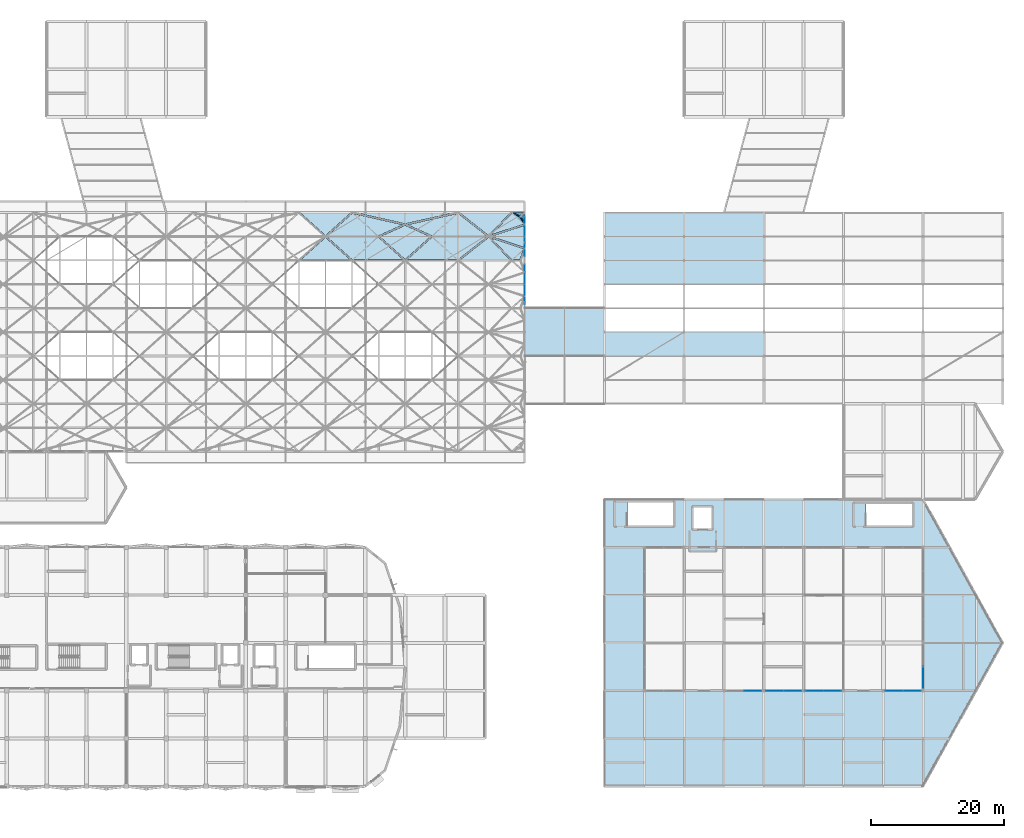
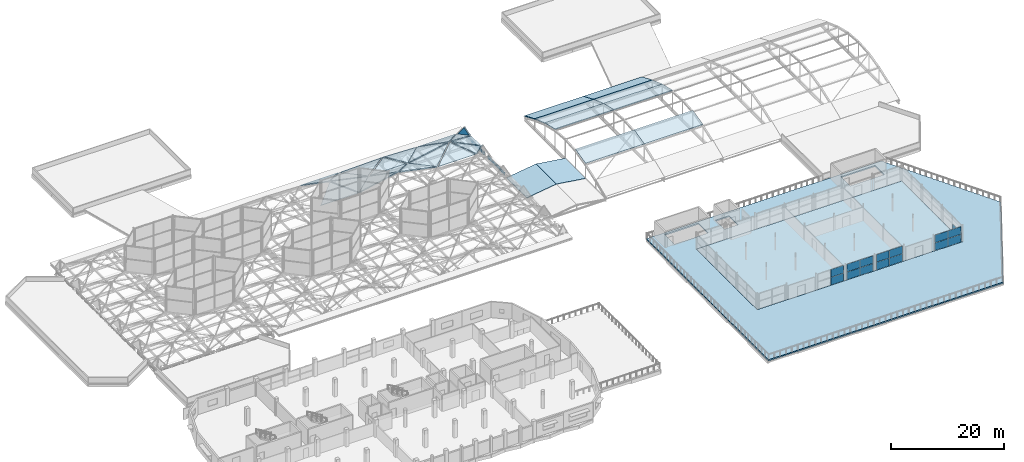
# One storey, part 216 of 239: 34 slabs, 23 plates, 7 elements without a shape of their own.
"""IFC4 building model written with IfcOpenShell, lengths in metres."""

from ifc_helpers import new_model, si_unit, direction, frame, origin, origin_2d, place, context, subcontext, project, spatial, polyline, rectangle, outline, extrude, material, layer, layer_set, type_object, element, aggregate, save


model = new_model("IFC4")

# Units and contexts
model_context = context("Model", 3, precision=1e-05, world=origin(), true_north=direction((0.0, 1.0)))
body_context = subcontext(model_context, "Body", "Model", "MODEL_VIEW")
ifc_project = project(units=[si_unit("LENGTHUNIT", "METRE"), si_unit("AREAUNIT", "SQUARE_METRE"), si_unit("VOLUMEUNIT", "CUBIC_METRE"), si_unit("PLANEANGLEUNIT", "RADIAN"), si_unit("MASSUNIT", "GRAM", prefix="KILO")], contexts=[model_context])

# Site, building, storey
site_placement = place(None, origin())
site = spatial("IfcSite", under=ifc_project, at=site_placement, CompositionType="ELEMENT")
building_placement = place(site_placement, origin())
building = spatial("IfcBuilding", under=site, at=building_placement, Name="Dunvalen Ferry Terminal", CompositionType="ELEMENT")
storey_placement = place(building_placement, frame((0.0, 0.0, 9.840087890625)))
storey = spatial("IfcBuildingStorey", under=building, at=storey_placement, Name="L02", CompositionType="ELEMENT", Elevation=9.840087890625)

# Curtain wall, plates
ifc_material_1 = material(Name="Anodised marine aluminium and solar-control glazing", Category="aluminium")
ifc_layer_1 = layer(ifc_material_1, 0.219970703125, Name="Anodised marine aluminium and solar-control glazing")
ifc_layer_set_1 = layer_set([ifc_layer_1], Name="Anodised marine aluminium and solar-control glazing")
curtain_wall_type_1 = type_object("IfcCurtainWallType", Name="ENV-CW-SYS-04", PredefinedType="NOTDEFINED", material=ifc_layer_set_1)
curtain_wall_1_placement = place(storey_placement, origin())
curtain_wall_1 = element("IfcCurtainWall", 1, at=curtain_wall_1_placement, inside=storey, type_object=curtain_wall_type_1, Name="L02 Curtain Wall CW-V1E-CLR-04", PredefinedType="NOTDEFINED")
ifc_material_2 = material(Name="Low-E solar-control laminated double glazing", Category="glass")
ifc_layer_2 = layer(ifc_material_2, 0.031982421875, Name="Low-E solar-control laminated double glazing")
ifc_layer_set_2 = layer_set([ifc_layer_2], Name="Low-E solar-control laminated double glazing")
plate_type_1 = type_object("IfcPlateType", Name="ENV-CW-PNL-2", PredefinedType="CURTAIN_PANEL", material=ifc_layer_set_2)
plate_1_placement = place(storey_placement, frame((96.0, 74.094970703125, 0.070068359375), z_axis=(0.0, 0.0, 1.0), x_axis=(0.0, 1.0, 0.0)))
plate_1 = element("IfcPlate", 2, at=plate_1_placement, type_object=plate_type_1, Name="CW-04 panel 1.1", PredefinedType="CURTAIN_PANEL", context=body_context, shape_type="SweptSolid", body=[
    extrude(rectangle(XDim=2.949951171875, YDim=0.031982421875, at=origin_2d()), origin(), (0.0, 0.0, 1.0), 0.294921875),
])
plate_2_placement = place(storey_placement, frame((96.0, 74.094970703125, 0.425048828125), z_axis=(0.0, 0.0, 1.0), x_axis=(0.0, 1.0, 0.0)))
plate_2 = element("IfcPlate", 3, at=plate_2_placement, type_object=plate_type_1, Name="CW-04 panel 1.2", PredefinedType="CURTAIN_PANEL", context=body_context, shape_type="SweptSolid", body=[
    extrude(rectangle(XDim=2.949951171875, YDim=0.031982421875, at=origin_2d()), origin(), (0.0, 0.0, 1.0), 0.294921875),
])
plate_3_placement = place(storey_placement, frame((96.0, 77.10498046875, 0.070068359375), z_axis=(0.0, 0.0, 1.0), x_axis=(0.0, 1.0, 0.0)))
plate_3 = element("IfcPlate", 4, at=plate_3_placement, type_object=plate_type_1, Name="CW-04 panel 2.1", PredefinedType="CURTAIN_PANEL", context=body_context, shape_type="SweptSolid", body=[
    extrude(rectangle(XDim=2.949951171875, YDim=0.031982421875, at=origin_2d()), origin(), (0.0, 0.0, 1.0), 0.294921875),
])
plate_4_placement = place(storey_placement, frame((96.0, 77.10498046875, 0.425048828125), z_axis=(0.0, 0.0, 1.0), x_axis=(0.0, 1.0, 0.0)))
plate_4 = element("IfcPlate", 5, at=plate_4_placement, type_object=plate_type_1, Name="CW-04 panel 2.2", PredefinedType="CURTAIN_PANEL", context=body_context, shape_type="SweptSolid", body=[
    extrude(rectangle(XDim=2.949951171875, YDim=0.031982421875, at=origin_2d()), origin(), (0.0, 0.0, 1.0), 0.294921875),
])
aggregate(curtain_wall_1, [plate_1, plate_2, plate_3, plate_4])

curtain_wall_2_placement = place(storey_placement, origin())
curtain_wall_2 = element("IfcCurtainWall", 6, at=curtain_wall_2_placement, inside=storey, type_object=curtain_wall_type_1, Name="L02 Curtain Wall CW-V1E-CLR-05", PredefinedType="NOTDEFINED")
plate_5_placement = place(storey_placement, frame((96.0, 81.294921875, 0.070068359375), z_axis=(0.0, 0.0, 1.0), x_axis=(0.0, 1.0, 0.0)))
plate_5 = element("IfcPlate", 7, at=plate_5_placement, type_object=plate_type_1, Name="CW-04 panel 1.1", PredefinedType="CURTAIN_PANEL", context=body_context, shape_type="SweptSolid", body=[
    extrude(rectangle(XDim=2.949951171875, YDim=0.031982421875, at=origin_2d()), origin(), (0.0, 0.0, 1.0), 0.294921875),
])
plate_6_placement = place(storey_placement, frame((96.0, 81.294921875, 0.425048828125), z_axis=(0.0, 0.0, 1.0), x_axis=(0.0, 1.0, 0.0)))
plate_6 = element("IfcPlate", 8, at=plate_6_placement, type_object=plate_type_1, Name="CW-04 panel 1.2", PredefinedType="CURTAIN_PANEL", context=body_context, shape_type="SweptSolid", body=[
    extrude(rectangle(XDim=2.949951171875, YDim=0.031982421875, at=origin_2d()), origin(), (0.0, 0.0, 1.0), 0.294921875),
])
plate_7_placement = place(storey_placement, frame((96.0, 84.304931640625, 0.070068359375), z_axis=(0.0, 0.0, 1.0), x_axis=(0.0, 1.0, 0.0)))
plate_7 = element("IfcPlate", 9, at=plate_7_placement, type_object=plate_type_1, Name="CW-04 panel 2.1", PredefinedType="CURTAIN_PANEL", context=body_context, shape_type="SweptSolid", body=[
    extrude(rectangle(XDim=2.949951171875, YDim=0.031982421875, at=origin_2d()), origin(), (0.0, 0.0, 1.0), 0.294921875),
])
plate_8_placement = place(storey_placement, frame((96.0, 84.304931640625, 0.425048828125), z_axis=(0.0, 0.0, 1.0), x_axis=(0.0, 1.0, 0.0)))
plate_8 = element("IfcPlate", 10, at=plate_8_placement, type_object=plate_type_1, Name="CW-04 panel 2.2", PredefinedType="CURTAIN_PANEL", context=body_context, shape_type="SweptSolid", body=[
    extrude(rectangle(XDim=2.949951171875, YDim=0.031982421875, at=origin_2d()), origin(), (0.0, 0.0, 1.0), 0.294921875),
])
aggregate(curtain_wall_2, [plate_5, plate_6, plate_7, plate_8])

ifc_layer_3 = layer(ifc_material_1, 0.159912109375, Name="Anodised marine aluminium and solar-control glazing")
ifc_layer_set_3 = layer_set([ifc_layer_3], Name="Anodised marine aluminium and solar-control glazing")
curtain_wall_type_2 = type_object("IfcCurtainWallType", Name="ENV-CW-SYS-09", PredefinedType="NOTDEFINED", material=ifc_layer_set_3)
curtain_wall_3_placement = place(storey_placement, origin())
curtain_wall_3 = element("IfcCurtainWall", 11, at=curtain_wall_3_placement, inside=storey, type_object=curtain_wall_type_2, Name="L02 Curtain Wall CW-PAV-S-3", PredefinedType="NOTDEFINED")
ifc_layer_4 = layer(ifc_material_2, 0.048095703125, Name="Low-E solar-control laminated double glazing")
ifc_layer_set_4 = layer_set([ifc_layer_4], Name="Low-E solar-control laminated double glazing")
plate_type_2 = type_object("IfcPlateType", Name="ENV-CW-PNL-6", PredefinedType="CURTAIN_PANEL", material=ifc_layer_set_4)
plate_9_placement = place(storey_placement, frame((130.336181640625, 14.39990234375, 0.054931640625), z_axis=(0.0, 0.0, 1.0), x_axis=(1.0, 0.0, 0.0)))
plate_9 = element("IfcPlate", 12, at=plate_9_placement, type_object=plate_type_2, Name="CW-09 panel 2.1", PredefinedType="CURTAIN_PANEL", context=body_context, shape_type="SweptSolid", body=[
    extrude(rectangle(XDim=2.617431640625, YDim=0.048095703125, at=origin_2d()), origin(), (0.0, 0.0, 1.0), 1.6474609375),
])
plate_10_placement = place(storey_placement, frame((130.336181640625, 14.39990234375, 1.75732421875), z_axis=(0.0, 0.0, 1.0), x_axis=(1.0, 0.0, 0.0)))
plate_10 = element("IfcPlate", 13, at=plate_10_placement, type_object=plate_type_2, Name="CW-09 panel 2.2", PredefinedType="CURTAIN_PANEL", context=body_context, shape_type="SweptSolid", body=[
    extrude(rectangle(XDim=2.617431640625, YDim=0.048095703125, at=origin_2d()), origin(), (0.0, 0.0, 1.0), 1.6474609375),
])
aggregate(curtain_wall_3, [plate_9, plate_10])

curtain_wall_4_placement = place(storey_placement, origin())
curtain_wall_4 = element("IfcCurtainWall", 14, at=curtain_wall_4_placement, inside=storey, type_object=curtain_wall_type_2, Name="L02 Curtain Wall CW-PAV-S-4", PredefinedType="NOTDEFINED")
plate_11_placement = place(storey_placement, frame((133.663818359375, 14.39990234375, 0.054931640625), z_axis=(0.0, 0.0, 1.0), x_axis=(1.0, 0.0, 0.0)))
plate_11 = element("IfcPlate", 15, at=plate_11_placement, type_object=plate_type_2, Name="CW-09 panel 1.1", PredefinedType="CURTAIN_PANEL", context=body_context, shape_type="SweptSolid", body=[
    extrude(rectangle(XDim=2.617431640625, YDim=0.048095703125, at=origin_2d()), origin(), (0.0, 0.0, 1.0), 1.6474609375),
])
plate_12_placement = place(storey_placement, frame((133.663818359375, 14.39990234375, 1.75732421875), z_axis=(0.0, 0.0, 1.0), x_axis=(1.0, 0.0, 0.0)))
plate_12 = element("IfcPlate", 16, at=plate_12_placement, type_object=plate_type_2, Name="CW-09 panel 1.2", PredefinedType="CURTAIN_PANEL", context=body_context, shape_type="SweptSolid", body=[
    extrude(rectangle(XDim=2.617431640625, YDim=0.048095703125, at=origin_2d()), origin(), (0.0, 0.0, 1.0), 1.6474609375),
])
plate_13_placement = place(storey_placement, frame((136.336181640625, 14.39990234375, 0.054931640625), z_axis=(0.0, 0.0, 1.0), x_axis=(1.0, 0.0, 0.0)))
plate_13 = element("IfcPlate", 17, at=plate_13_placement, type_object=plate_type_2, Name="CW-09 panel 2.1", PredefinedType="CURTAIN_PANEL", context=body_context, shape_type="SweptSolid", body=[
    extrude(rectangle(XDim=2.617431640625, YDim=0.048095703125, at=origin_2d()), origin(), (0.0, 0.0, 1.0), 1.6474609375),
])
plate_14_placement = place(storey_placement, frame((136.336181640625, 14.39990234375, 1.75732421875), z_axis=(0.0, 0.0, 1.0), x_axis=(1.0, 0.0, 0.0)))
plate_14 = element("IfcPlate", 18, at=plate_14_placement, type_object=plate_type_2, Name="CW-09 panel 2.2", PredefinedType="CURTAIN_PANEL", context=body_context, shape_type="SweptSolid", body=[
    extrude(rectangle(XDim=2.617431640625, YDim=0.048095703125, at=origin_2d()), origin(), (0.0, 0.0, 1.0), 1.6474609375),
])
aggregate(curtain_wall_4, [plate_11, plate_12, plate_13, plate_14])

curtain_wall_5_placement = place(storey_placement, origin())
curtain_wall_5 = element("IfcCurtainWall", 19, at=curtain_wall_5_placement, inside=storey, type_object=curtain_wall_type_2, Name="L02 Curtain Wall CW-PAV-S-5", PredefinedType="NOTDEFINED")
plate_15_placement = place(storey_placement, frame((139.663818359375, 14.39990234375, 0.054931640625), z_axis=(0.0, 0.0, 1.0), x_axis=(1.0, 0.0, 0.0)))
plate_15 = element("IfcPlate", 20, at=plate_15_placement, type_object=plate_type_2, Name="CW-09 panel 1.1", PredefinedType="CURTAIN_PANEL", context=body_context, shape_type="SweptSolid", body=[
    extrude(rectangle(XDim=2.617431640625, YDim=0.048095703125, at=origin_2d()), origin(), (0.0, 0.0, 1.0), 1.6474609375),
])
plate_16_placement = place(storey_placement, frame((139.663818359375, 14.39990234375, 1.75732421875), z_axis=(0.0, 0.0, 1.0), x_axis=(1.0, 0.0, 0.0)))
plate_16 = element("IfcPlate", 21, at=plate_16_placement, type_object=plate_type_2, Name="CW-09 panel 1.2", PredefinedType="CURTAIN_PANEL", context=body_context, shape_type="SweptSolid", body=[
    extrude(rectangle(XDim=2.617431640625, YDim=0.048095703125, at=origin_2d()), origin(), (0.0, 0.0, 1.0), 1.6474609375),
])
plate_17_placement = place(storey_placement, frame((142.336181640625, 14.39990234375, 0.054931640625), z_axis=(0.0, 0.0, 1.0), x_axis=(1.0, 0.0, 0.0)))
plate_17 = element("IfcPlate", 22, at=plate_17_placement, type_object=plate_type_2, Name="CW-09 panel 2.1", PredefinedType="CURTAIN_PANEL", context=body_context, shape_type="SweptSolid", body=[
    extrude(rectangle(XDim=2.617431640625, YDim=0.048095703125, at=origin_2d()), origin(), (0.0, 0.0, 1.0), 1.6474609375),
])
plate_18_placement = place(storey_placement, frame((142.336181640625, 14.39990234375, 1.75732421875), z_axis=(0.0, 0.0, 1.0), x_axis=(1.0, 0.0, 0.0)))
plate_18 = element("IfcPlate", 23, at=plate_18_placement, type_object=plate_type_2, Name="CW-09 panel 2.2", PredefinedType="CURTAIN_PANEL", context=body_context, shape_type="SweptSolid", body=[
    extrude(rectangle(XDim=2.617431640625, YDim=0.048095703125, at=origin_2d()), origin(), (0.0, 0.0, 1.0), 1.6474609375),
])
aggregate(curtain_wall_5, [plate_15, plate_16, plate_17, plate_18])

curtain_wall_6_placement = place(storey_placement, origin())
curtain_wall_6 = element("IfcCurtainWall", 24, at=curtain_wall_6_placement, inside=storey, type_object=curtain_wall_type_2, Name="L02 Curtain Wall CW-PAV-S-7", PredefinedType="NOTDEFINED")
plate_19_placement = place(storey_placement, frame((151.663818359375, 14.39990234375, 0.054931640625), z_axis=(0.0, 0.0, 1.0), x_axis=(1.0, 0.0, 0.0)))
plate_19 = element("IfcPlate", 25, at=plate_19_placement, type_object=plate_type_2, Name="CW-09 panel 1.1", PredefinedType="CURTAIN_PANEL", context=body_context, shape_type="SweptSolid", body=[
    extrude(rectangle(XDim=2.617431640625, YDim=0.048095703125, at=origin_2d()), origin(), (0.0, 0.0, 1.0), 1.6474609375),
])
plate_20_placement = place(storey_placement, frame((151.663818359375, 14.39990234375, 1.75732421875), z_axis=(0.0, 0.0, 1.0), x_axis=(1.0, 0.0, 0.0)))
plate_20 = element("IfcPlate", 26, at=plate_20_placement, type_object=plate_type_2, Name="CW-09 panel 1.2", PredefinedType="CURTAIN_PANEL", context=body_context, shape_type="SweptSolid", body=[
    extrude(rectangle(XDim=2.617431640625, YDim=0.048095703125, at=origin_2d()), origin(), (0.0, 0.0, 1.0), 1.6474609375),
])
plate_21_placement = place(storey_placement, frame((154.336181640625, 14.39990234375, 0.054931640625), z_axis=(0.0, 0.0, 1.0), x_axis=(1.0, 0.0, 0.0)))
plate_21 = element("IfcPlate", 27, at=plate_21_placement, type_object=plate_type_2, Name="CW-09 panel 2.1", PredefinedType="CURTAIN_PANEL", context=body_context, shape_type="SweptSolid", body=[
    extrude(rectangle(XDim=2.617431640625, YDim=0.048095703125, at=origin_2d()), origin(), (0.0, 0.0, 1.0), 1.6474609375),
])
plate_22_placement = place(storey_placement, frame((154.336181640625, 14.39990234375, 1.75732421875), z_axis=(0.0, 0.0, 1.0), x_axis=(1.0, 0.0, 0.0)))
plate_22 = element("IfcPlate", 28, at=plate_22_placement, type_object=plate_type_2, Name="CW-09 panel 2.2", PredefinedType="CURTAIN_PANEL", context=body_context, shape_type="SweptSolid", body=[
    extrude(rectangle(XDim=2.617431640625, YDim=0.048095703125, at=origin_2d()), origin(), (0.0, 0.0, 1.0), 1.6474609375),
])
aggregate(curtain_wall_6, [plate_19, plate_20, plate_21, plate_22])

# Curtain wall, plate
ifc_layer_5 = layer(ifc_material_1, 0.159912109375, Name="Anodised marine aluminium and solar-control glazing")
ifc_layer_set_5 = layer_set([ifc_layer_5], Name="Anodised marine aluminium and solar-control glazing")
curtain_wall_type_3 = type_object("IfcCurtainWallType", Name="ENV-CW-SYS-10", PredefinedType="NOTDEFINED", material=ifc_layer_set_5)
curtain_wall_7_placement = place(storey_placement, origin())
curtain_wall_7 = element("IfcCurtainWall", 29, at=curtain_wall_7_placement, inside=storey, type_object=curtain_wall_type_3, Name="L02 Curtain Wall CW-PAV-E-1", PredefinedType="NOTDEFINED")
plate_23_placement = place(storey_placement, frame((156.0, 16.36376953125, 0.054931640625), z_axis=(0.0, 0.0, 1.0), x_axis=(0.0, 1.0, 0.0)))
plate_23 = element("IfcPlate", 30, at=plate_23_placement, type_object=plate_type_2, Name="CW-10 panel 1.1", PredefinedType="CURTAIN_PANEL", context=body_context, shape_type="SweptSolid", body=[
    extrude(rectangle(XDim=3.217529296875, YDim=0.048095703125, at=origin_2d()), origin(), (0.0, 0.0, 1.0), 1.6474609375),
])
aggregate(curtain_wall_7, [plate_23])

# Slabs
ifc_material_3 = material(Name="Precast concrete C40/50 - Deep Navy Marine Enamel", Category="concrete")
ifc_layer_6 = layer(ifc_material_3, 0.2099609375, Name="Precast concrete C40/50 - Deep Navy Marine Enamel")
ifc_layer_set_6 = layer_set([ifc_layer_6], Name="Precast concrete C40/50 - Deep Navy Marine Enamel")
slab_type_1 = type_object("IfcSlabType", Name="STR-ROOF-HEX-NAVY", PredefinedType="ROOF", material=ifc_layer_set_6)
slab_1_placement = place(storey_placement, frame((62.157958984375, 79.199951171875, 1.427001953125), z_axis=(0.0, -0.422780353904, 0.906232184571), x_axis=(1.0, 0.0, 0.0)))
element("IfcSlab", 31, at=slab_1_placement, inside=storey, type_object=slab_type_1, Name="HEX-33 Sea-Roof Pyramid Facet 2", PredefinedType="ROOF", context=body_context, shape_type="SweptSolid", body=[
    extrude(outline(polyline([(0.0, 0.0), (7.68408203125, 0.0), (3.842041015625, 3.814730163920641), (0.0, 0.0)])), origin(), (0.0, 0.0, -1.0), 0.2099609375),
])
slab_2_placement = place(storey_placement, frame((70.0791015625, 79.27099609375, 1.427001953125), z_axis=(0.200317741298, -0.222548281592, 0.954120047416), x_axis=(0.743253811371, 0.669009545434, 0.0)))
element("IfcSlab", 32, at=slab_2_placement, inside=storey, type_object=slab_type_1, Name="HEX-33 Sea-Roof Pyramid Facet 3", PredefinedType="ROOF", context=body_context, shape_type="SweptSolid", body=[
    extrude(outline(polyline([(0.0, 0.0), (5.116661976626771, -4.440892098500626e-16), (-0.5366760344240071, 5.333313352192469), (0.0, 0.0)])), origin(), (0.0, 0.0, -1.0), 0.2099609375),
])
slab_3_placement = place(storey_placement, frame((73.882080078125, 82.906005859375, 1.427001953125), z_axis=(0.200317741298, 0.222548281592, 0.954120047416), x_axis=(-0.743253811371, 0.669009545434, 0.0)))
element("IfcSlab", 33, at=slab_3_placement, inside=storey, type_object=slab_type_1, Name="HEX-33 Sea-Roof Pyramid Facet 4", PredefinedType="ROOF", context=body_context, shape_type="SweptSolid", body=[
    extrude(outline(polyline([(0.0, 0.0), (5.116661976626771, 4.440892098500626e-16), (5.653338011050778, 5.33331335219247), (0.0, 0.0)])), origin(), (0.0, 0.0, -1.0), 0.2099609375),
])
slab_4_placement = place(storey_placement, frame((69.842041015625, 86.39990234375, 1.427001953125), z_axis=(0.0, 0.422804875738, 0.906220744108), x_axis=(-1.0, 0.0, 0.0)))
element("IfcSlab", 34, at=slab_4_placement, inside=storey, type_object=slab_type_1, Name="HEX-33 Sea-Roof Pyramid Facet 5", PredefinedType="ROOF", context=body_context, shape_type="SweptSolid", body=[
    extrude(outline(polyline([(0.0, 0.0), (7.68408203125, 0.0), (3.842041015625, 3.814508917225205), (0.0, 0.0)])), origin(), (0.0, 0.0, -1.0), 0.2099609375),
])
slab_5_placement = place(storey_placement, frame((85.882080078125, 79.305908203125, 1.427001953125), z_axis=(0.200317741298, 0.222548281592, 0.954120047416), x_axis=(-0.743253811371, 0.669009545434, 0.0)))
element("IfcSlab", 35, at=slab_5_placement, inside=storey, type_object=slab_type_1, Name="HEX-38 Sea-Roof Pyramid Facet 4", PredefinedType="ROOF", context=body_context, shape_type="SweptSolid", body=[
    extrude(outline(polyline([(0.0, 0.0), (5.116661976626771, 4.440892098500626e-16), (5.653338011050778, 5.33331335219247), (0.0, 0.0)])), origin(), (0.0, 0.0, -1.0), 0.2099609375),
])
slab_6_placement = place(storey_placement, frame((81.842041015625, 82.800048828125, 1.427001953125), z_axis=(0.0, 0.422780353904, 0.906232184571), x_axis=(-1.0, 0.0, 0.0)))
element("IfcSlab", 36, at=slab_6_placement, inside=storey, type_object=slab_type_1, Name="HEX-38 Sea-Roof Pyramid Facet 5", PredefinedType="ROOF", context=body_context, shape_type="SweptSolid", body=[
    extrude(outline(polyline([(0.0, 0.0), (7.68408203125, 0.0), (3.842041015625, 3.814730163920641), (0.0, 0.0)])), origin(), (0.0, 0.0, -1.0), 0.2099609375),
])
slab_7_placement = place(storey_placement, frame((73.9208984375, 82.72900390625, 1.427001953125), z_axis=(-0.200317741298, 0.222548281592, 0.954120047416), x_axis=(-0.743253811371, -0.669009545434, 0.0)))
element("IfcSlab", 37, at=slab_7_placement, inside=storey, type_object=slab_type_1, Name="HEX-38 Sea-Roof Pyramid Facet 6", PredefinedType="ROOF", context=body_context, shape_type="SweptSolid", body=[
    extrude(outline(polyline([(0.0, 0.0), (5.116661976626771, -4.440892098500626e-16), (-0.5366760344240071, 5.333313352192469), (0.0, 0.0)])), origin(), (0.0, 0.0, -1.0), 0.2099609375),
])
slab_8_placement = place(storey_placement, frame((70.160888671875, 86.2548828125, 1.427001953125), z_axis=(-0.258241324368, -0.28692858337, 0.92248761858), x_axis=(0.74328693375, -0.668972745421, 0.0)))
element("IfcSlab", 38, at=slab_8_placement, inside=storey, type_object=slab_type_1, Name="HEX-39 Sea-Roof Pyramid Facet 1", PredefinedType="ROOF", context=body_context, shape_type="SweptSolid", body=[
    extrude(outline(polyline([(0.0, 0.0), (5.049427963424799, 0.0), (6.7090601149819244, 4.082432219674015), (0.0, 0.0)])), origin(), (0.0, 0.0, -1.0), 0.2099609375),
])
slab_9_placement = place(storey_placement, frame((74.258056640625, 82.800048828125, 1.427001953125), z_axis=(0.0, -0.682420198219, 0.730960103605), x_axis=(1.0, 0.0, 0.0)))
element("IfcSlab", 39, at=slab_9_placement, inside=storey, type_object=slab_type_1, Name="HEX-39 Sea-Roof Pyramid Facet 2", PredefinedType="ROOF", context=body_context, shape_type="SweptSolid", body=[
    extrude(outline(polyline([(0.0, 0.0), (7.48388671875, 0.0), (3.741943359375, 2.3035975319575743), (0.0, 0.0)])), origin(), (0.0, 0.0, -1.0), 0.2099609375),
])
slab_10_placement = place(storey_placement, frame((82.0859375, 82.876953125, 1.427001953125), z_axis=(0.258241324368, -0.28692858337, 0.92248761858), x_axis=(0.74328693375, 0.668972745421, 0.0)))
element("IfcSlab", 40, at=slab_10_placement, inside=storey, type_object=slab_type_1, Name="HEX-39 Sea-Roof Pyramid Facet 3", PredefinedType="ROOF", context=body_context, shape_type="SweptSolid", body=[
    extrude(outline(polyline([(0.0, 0.0), (5.049427963424799, 0.0), (-1.659632151557125, 4.082432219674014), (0.0, 0.0)])), origin(), (0.0, 0.0, -1.0), 0.2099609375),
])
slab_11_placement = place(storey_placement, frame((85.51708984375, 86.39990234375, 1.427001953125), z_axis=(0.0, 0.682472396449, 0.730911368146), x_axis=(-1.0, 0.0, 0.0)))
element("IfcSlab", 41, at=slab_11_placement, inside=storey, type_object=slab_type_1, Name="HEX-39 Sea-Roof Pyramid Facet 4", PredefinedType="ROOF", context=body_context, shape_type="SweptSolid", body=[
    extrude(outline(polyline([(0.0, 0.0), (15.0341796875, 0.0), (7.51708984375, 2.313437774320156), (0.0, 0.0)])), origin(), (0.0, 0.0, -1.0), 0.2099609375),
])
ifc_material_4 = material(Name="Precast concrete C40/50 - Pale Sea-Mist Marine Enamel", Category="concrete")
ifc_layer_7 = layer(ifc_material_4, 0.169921875, Name="Precast concrete C40/50 - Pale Sea-Mist Marine Enamel")
ifc_layer_set_7 = layer_set([ifc_layer_7], Name="Precast concrete C40/50 - Pale Sea-Mist Marine Enamel")
slab_type_2 = type_object("IfcSlabType", Name="STR-ROOF-HEX-SEAMIST", PredefinedType="ROOF", material=ifc_layer_set_7)
slab_12_placement = place(storey_placement, frame((82.117919921875, 82.694091796875, 1.386962890625), z_axis=(-0.188106426033, -0.208987755769, 0.959656235547), x_axis=(0.743263293857, -0.668999010466, 0.0)))
element("IfcSlab", 42, at=slab_12_placement, inside=storey, type_object=slab_type_2, Name="HEX-44 Sea-Roof Pyramid Facet 1", PredefinedType="ROOF", context=body_context, shape_type="SweptSolid", body=[
    extrude(outline(polyline([(0.0, 0.0), (5.115282813706228, 4.440892098500626e-16), (6.0553457314466606, 5.67944691384375), (0.0, 0.0)])), origin(), (0.0, 0.0, -1.0), 0.169921875),
])
slab_13_placement = place(storey_placement, frame((86.1708984375, 79.199951171875, 1.386962890625), z_axis=(0.0, -0.422832911751, 0.906207663144), x_axis=(1.0, 0.0, 0.0)))
element("IfcSlab", 43, at=slab_13_placement, inside=storey, type_object=slab_type_2, Name="HEX-44 Sea-Roof Pyramid Facet 2", PredefinedType="ROOF", context=body_context, shape_type="SweptSolid", body=[
    extrude(outline(polyline([(0.0, 0.0), (7.68310546875, 0.0), (4.39013671875, 3.8148333881963206), (0.0, 0.0)])), origin(), (0.0, 0.0, -1.0), 0.169921875),
])
slab_14_placement = place(storey_placement, frame((94.0791015625, 79.27099609375, 1.386962890625), z_axis=(0.214272720285, -0.238063154245, 0.947318919864), x_axis=(0.743269490538, 0.66899212584, 0.0)))
element("IfcSlab", 44, at=slab_14_placement, inside=storey, type_object=slab_type_2, Name="HEX-44 Sea-Roof Pyramid Facet 3", PredefinedType="ROOF", context=body_context, shape_type="SweptSolid", body=[
    extrude(outline(polyline([(0.0, 0.0), (2.461871511839899, 0.0), (-0.1282393313089241, 4.801376729288834), (0.0, 0.0)])), origin(), (0.0, 0.0, -1.0), 0.169921875),
])
slab_15_placement = place(storey_placement, frame((96.0, 81.112060546875, 1.386962890625), z_axis=(0.295652877219, 0.0, 0.955295439219), x_axis=(0.0, 1.0, 0.0)))
element("IfcSlab", 45, at=slab_15_placement, inside=storey, type_object=slab_type_2, Name="HEX-44 Sea-Roof Pyramid Facet 4", PredefinedType="ROOF", context=body_context, shape_type="SweptSolid", body=[
    extrude(outline(polyline([(0.0, 0.0), (3.3759765625, 0.0), (1.68798828125, 5.330331127498515), (0.0, 0.0)])), origin(), (0.0, 0.0, -1.0), 0.169921875),
])
slab_16_placement = place(storey_placement, frame((95.908935546875, 84.681884765625, 1.386962890625), z_axis=(0.214282195465, 0.238038395585, 0.947322998208), x_axis=(-0.743220180998, 0.669046906097, 0.0)))
element("IfcSlab", 46, at=slab_16_placement, inside=storey, type_object=slab_type_2, Name="HEX-44 Sea-Roof Pyramid Facet 5", PredefinedType="ROOF", context=body_context, shape_type="SweptSolid", body=[
    extrude(outline(polyline([(0.0, 0.0), (2.4620348466828865, -2.220446049250313e-16), (2.5897755974063705, 4.801557563065545), (0.0, 0.0)])), origin(), (0.0, 0.0, -1.0), 0.169921875),
])
slab_17_placement = place(storey_placement, frame((93.85400390625, 86.39990234375, 1.386962890625), z_axis=(0.0, 0.422857435306, 0.906196220146), x_axis=(-1.0, 0.0, 0.0)))
element("IfcSlab", 47, at=slab_17_placement, inside=storey, type_object=slab_type_2, Name="HEX-44 Sea-Roof Pyramid Facet 6", PredefinedType="ROOF", context=body_context, shape_type="SweptSolid", body=[
    extrude(outline(polyline([(0.0, 0.0), (7.68310546875, 0.0), (3.29296875, 3.8146121474878703), (0.0, 0.0)])), origin(), (0.0, 0.0, -1.0), 0.169921875),
])
slab_18_placement = place(storey_placement, frame((85.919921875, 86.327880859375, 1.386962890625), z_axis=(-0.188105839848, 0.209002015122, 0.959653245027), x_axis=(-0.743287026378, -0.668972642504, 0.0)))
element("IfcSlab", 48, at=slab_18_placement, inside=storey, type_object=slab_type_2, Name="HEX-44 Sea-Roof Pyramid Facet 7", PredefinedType="ROOF", context=body_context, shape_type="SweptSolid", body=[
    extrude(outline(polyline([(0.0, 0.0), (5.115119487088382, 4.440892098500626e-16), (-0.9404195925568297, 5.679240761704702), (0.0, 0.0)])), origin(), (0.0, 0.0, -1.0), 0.169921875),
])
slab_19_placement = place(storey_placement, frame((95.830078125, 80.846923828125, 1.386962890625), z_axis=(-0.590858891675, 0.656478676698, 0.468957905541), x_axis=(-0.743278336005, -0.668982298141, 0.0)))
element("IfcSlab", 49, at=slab_19_placement, inside=storey, type_object=slab_type_2, Name="HEX-49 Sea-Roof Pyramid Facet 1", PredefinedType="ROOF", context=body_context, shape_type="SweptSolid", body=[
    extrude(outline(polyline([(0.0, 0.0), (2.3035222744793176, 1.1102230246251565e-16), (1.4546316358488256, 1.629224882080702), (0.0, 0.0)])), origin(), (0.0, 0.0, -1.0), 0.169921875),
])
slab_20_placement = place(storey_placement, frame((95.842041015625, 86.39990234375, 1.386962890625), z_axis=(0.0, 0.94176146831, 0.336281633168), x_axis=(-1.0, 0.0, 0.0)))
element("IfcSlab", 50, at=slab_20_placement, inside=storey, type_object=slab_type_2, Name="HEX-50 Sea-Roof Pyramid Facet 1", PredefinedType="ROOF", context=body_context, shape_type="SweptSolid", body=[
    extrude(outline(polyline([(0.0, 0.0), (1.583984375, 0.0), (0.528076171875, 1.412070921483801), (0.0, 0.0)])), origin(), (0.0, 0.0, -1.0), 0.169921875),
])
slab_21_placement = place(storey_placement, frame((94.258056640625, 86.16796875, 1.386962890625), z_axis=(-0.646691164987, -0.718155860557, 0.256987737208), x_axis=(0.74311357977, -0.669165306604, 0.0)))
element("IfcSlab", 51, at=slab_21_placement, inside=storey, type_object=slab_type_2, Name="HEX-50 Sea-Roof Pyramid Facet 2", PredefinedType="ROOF", context=body_context, shape_type="SweptSolid", body=[
    extrude(outline(polyline([(0.0, 0.0), (2.017219814452428, 5.551115123125783e-17), (1.0442052936540458, 1.3027877679605961), (0.0, 0.0)])), origin(), (0.0, 0.0, -1.0), 0.169921875),
])
slab_22_placement = place(storey_placement, frame((96.0, 84.818115234375, 1.386962890625), z_axis=(0.929487033132, 0.0, 0.368854788825), x_axis=(0.0, 1.0, 0.0)))
element("IfcSlab", 52, at=slab_22_placement, inside=storey, type_object=slab_type_2, Name="HEX-50 Sea-Roof Pyramid Facet 3", PredefinedType="ROOF", context=body_context, shape_type="SweptSolid", body=[
    extrude(outline(polyline([(0.0, 0.0), (1.43896484375, 0.0), (0.9599609375, 1.4449018977698007), (0.0, 0.0)])), origin(), (0.0, 0.0, -1.0), 0.169921875),
])
ifc_material_5 = material(Name="Precast concrete C40/50", Category="concrete")
ifc_layer_8 = layer(ifc_material_5, 0.14990234375, Name="Precast concrete C40/50")
ifc_layer_set_8 = layer_set([ifc_layer_8], Name="Precast concrete C40/50")
slab_type_3 = type_object("IfcSlabType", Name="STR-ROOF-VAULT", PredefinedType="ROOF", material=ifc_layer_set_8)
for number, where, z_axis, x_axis, name in (
    (53, (108.0, 64.800048828125, 3.203369140625), (0.0, -0.234133472154, 0.972204462661), (1.0, 0.0, 0.0), "Arrivals Hall Barrel-Vault Roof Facet 1.3"),
    (54, (108.0, 75.60009765625, 4.0703125), (0.0, 0.234133472154, 0.972204462661), (1.0, 0.0, 0.0), "Arrivals Hall Barrel-Vault Roof Facet 1.6"),
):
    element("IfcSlab", number, at=place(storey_placement, frame(where, z_axis=z_axis, x_axis=x_axis)), inside=storey, type_object=slab_type_3, Name=name, PredefinedType="ROOF", context=body_context, shape_type="SweptSolid", body=[
        extrude(outline(polyline([(0.0, 0.0), (12.0, 0.0), (12.0, 3.70277411170626), (0.0, 3.70277411170626), (0.0, 0.0)])), origin(), (0.0, 0.0, -1.0), 0.14990234375),
    ])
slab_23_placement = place(storey_placement, frame((108.0, 79.199951171875, 3.203369140625), z_axis=(0.0, 0.33913962072, 0.940736051004), x_axis=(1.0, 0.0, 0.0)))
element("IfcSlab", 55, at=slab_23_placement, inside=storey, type_object=slab_type_3, Name="Arrivals Hall Barrel-Vault Roof Facet 1.7", PredefinedType="ROOF", context=body_context, shape_type="SweptSolid", body=[
    extrude(outline(polyline([(0.0, 0.0), (12.0, 0.0), (12.0, 3.826894539025139), (0.0, 3.826894539025139), (0.0, 0.0)])), origin(), (0.0, 0.0, -1.0), 0.14990234375),
])
slab_24_placement = place(storey_placement, frame((108.0, 82.800048828125, 1.905517578125), z_axis=(0.0, 0.391266189299, 0.920277550042), x_axis=(1.0, 0.0, 0.0)))
element("IfcSlab", 56, at=slab_24_placement, inside=storey, type_object=slab_type_3, Name="Arrivals Hall Barrel-Vault Roof Facet 1.8", PredefinedType="ROOF", context=body_context, shape_type="SweptSolid", body=[
    extrude(outline(polyline([(0.0, 0.0), (12.0, 0.0), (12.0, 3.9117041543178197), (0.0, 3.9117041543178197), (0.0, 0.0)])), origin(), (0.0, 0.0, -1.0), 0.14990234375),
])
for number, where, z_axis, x_axis, name in (
    (57, (120.0, 64.800048828125, 3.203369140625), (0.0, -0.234133472154, 0.972204462661), (1.0, 0.0, 0.0), "Arrivals Hall Barrel-Vault Roof Facet 2.3"),
    (58, (120.0, 75.60009765625, 4.0703125), (0.0, 0.234133472154, 0.972204462661), (1.0, 0.0, 0.0), "Arrivals Hall Barrel-Vault Roof Facet 2.6"),
):
    element("IfcSlab", number, at=place(storey_placement, frame(where, z_axis=z_axis, x_axis=x_axis)), inside=storey, type_object=slab_type_3, Name=name, PredefinedType="ROOF", context=body_context, shape_type="SweptSolid", body=[
        extrude(outline(polyline([(0.0, 0.0), (12.0, 0.0), (12.0, 3.70277411170626), (0.0, 3.70277411170626), (0.0, 0.0)])), origin(), (0.0, 0.0, -1.0), 0.14990234375),
    ])
slab_25_placement = place(storey_placement, frame((120.0, 79.199951171875, 3.203369140625), z_axis=(0.0, 0.33913962072, 0.940736051004), x_axis=(1.0, 0.0, 0.0)))
element("IfcSlab", 59, at=slab_25_placement, inside=storey, type_object=slab_type_3, Name="Arrivals Hall Barrel-Vault Roof Facet 2.7", PredefinedType="ROOF", context=body_context, shape_type="SweptSolid", body=[
    extrude(outline(polyline([(0.0, 0.0), (12.0, 0.0), (12.0, 3.826894539025139), (0.0, 3.826894539025139), (0.0, 0.0)])), origin(), (0.0, 0.0, -1.0), 0.14990234375),
])
slab_26_placement = place(storey_placement, frame((120.0, 82.800048828125, 1.905517578125), z_axis=(0.0, 0.391266189299, 0.920277550042), x_axis=(1.0, 0.0, 0.0)))
element("IfcSlab", 60, at=slab_26_placement, inside=storey, type_object=slab_type_3, Name="Arrivals Hall Barrel-Vault Roof Facet 2.8", PredefinedType="ROOF", context=body_context, shape_type="SweptSolid", body=[
    extrude(outline(polyline([(0.0, 0.0), (12.0, 0.0), (12.0, 3.9117041543178197), (0.0, 3.9117041543178197), (0.0, 0.0)])), origin(), (0.0, 0.0, -1.0), 0.14990234375),
])
for number, where, z_axis, x_axis, name in (
    (61, (96.0, 64.800048828125, -0.070068359375), (-0.141861184452, 0.0, 0.989886561352), (0.989886561352, 0.0, 0.141861184452), "Central Covered Passage West Canopy Roof 2"),
    (62, (102.0, 64.800048828125, 0.789794921875), (0.141861184452, 0.0, 0.989886561352), (0.989886561352, 0.0, -0.141861184452), "Central Covered Passage East Canopy Roof 2"),
):
    element("IfcSlab", number, at=place(storey_placement, frame(where, z_axis=z_axis, x_axis=x_axis)), inside=storey, type_object=slab_type_3, Name=name, PredefinedType="ROOF", context=body_context, shape_type="SweptSolid", body=[
        extrude(outline(polyline([(0.0, 0.0), (6.061300591658692, 0.0), (6.061300591658692, 7.199951171875), (0.0, 7.199951171875), (0.0, 0.0)])), origin(), (0.0, 0.0, -1.0), 0.14990234375),
    ])
ifc_material_6 = material(Name="Concrete C40/50", Category="concrete")
ifc_layer_9 = layer(ifc_material_6, 0.280029296875, Name="Concrete C40/50")
ifc_layer_set_9 = layer_set([ifc_layer_9], Name="Concrete C40/50")
slab_type_4 = type_object("IfcSlabType", Name="STR-SLB-FLR280", PredefinedType="FLOOR", material=ifc_layer_set_9)
slab_27_placement = place(storey_placement, frame((0.0, 0.0, -0.280029296875)))
element("IfcSlab", 63, at=slab_27_placement, inside=storey, type_object=slab_type_4, Name="L02 Promenade Cafe and Maritime Exhibition Pavilion Floor Slab", PredefinedType="FLOOR", context=body_context, shape_type="SweptSolid", body=[
    extrude(outline(polyline([(114.0, 14.39990234375), (156.0, 14.39990234375), (156.0, 36.0), (114.0, 36.0), (114.0, 14.39990234375)])), origin(), (0.0, 0.0, 1.0), 0.280029296875),
])
slab_28_placement = place(storey_placement, frame((0.0, 0.0, -0.280029296875)))
element("IfcSlab", 64, at=slab_28_placement, inside=storey, type_object=slab_type_4, Name="L02 Rooftop Public Promenade and Coastal Garden Deck Slab", PredefinedType="FLOOR", context=body_context, shape_type="SweptSolid", body=[
    extrude(outline(polyline([(108.0, 0.0), (156.0, 0.0), (168.0, 21.60009765625), (156.0, 43.199951171875), (108.0, 43.199951171875), (108.0, 0.0)]), holes=[polyline([(114.0, 14.39990234375), (156.0, 14.39990234375), (156.0, 36.0), (114.0, 36.0), (114.0, 14.39990234375)]), polyline([(111.449951171875, 39.25), (118.35009765625, 39.25), (118.35009765625, 42.75), (111.449951171875, 42.75), (111.449951171875, 39.25)]), polyline([(147.39990234375, 39.25), (154.35009765625, 39.25), (154.35009765625, 42.550048828125), (147.39990234375, 42.550048828125), (147.39990234375, 39.25)]), polyline([(121.39990234375, 38.800048828125), (124.199951171875, 38.800048828125), (124.199951171875, 42.0), (121.39990234375, 42.0), (121.39990234375, 38.800048828125)])]), origin(), (0.0, 0.0, 1.0), 0.280029296875),
])

save(model, "model.ifc")
